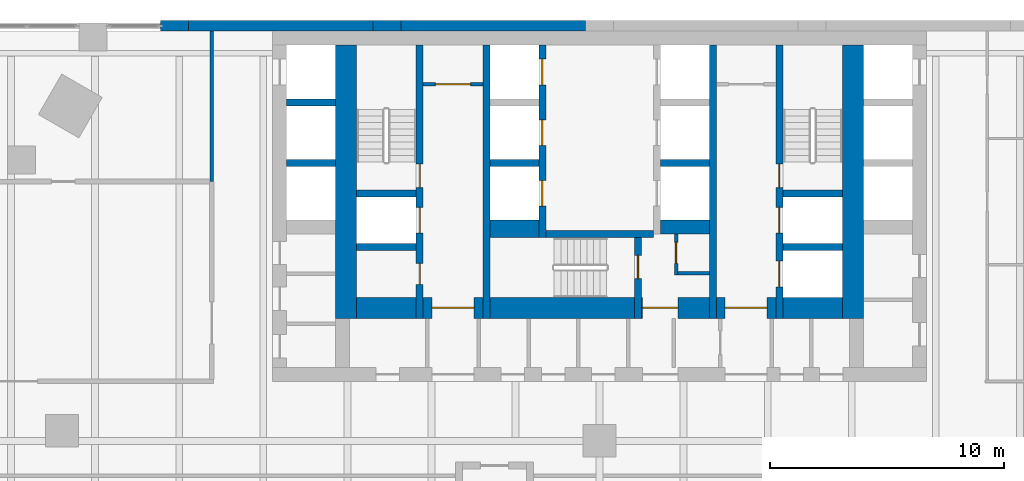
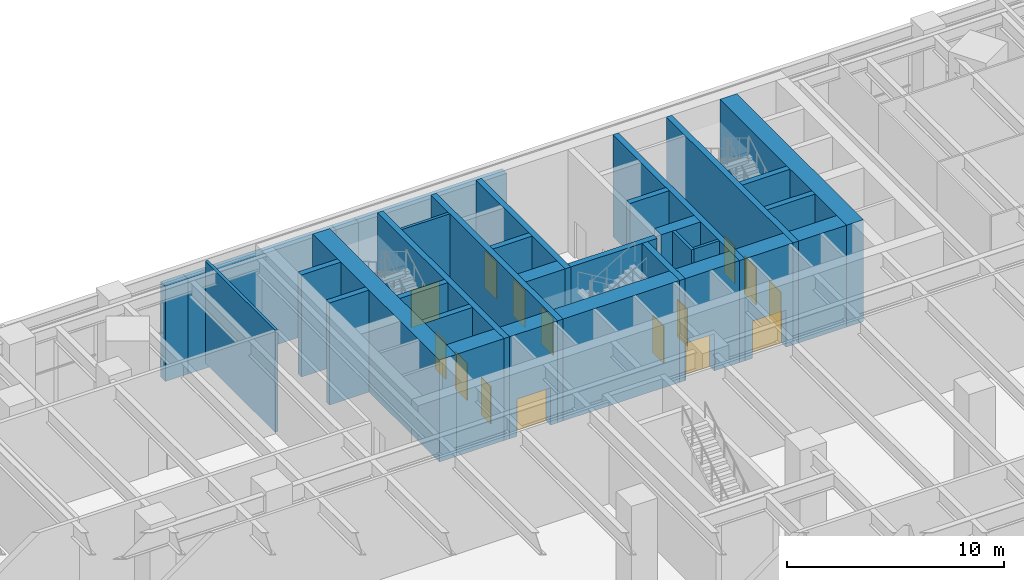
# One storey, part 32 of 40: 33 walls, 15 doors, 15 openings.
"""IFC4 building model written with IfcOpenShell, lengths in metres."""

from ifc_helpers import new_model, si_unit, direction, frame, frame_2d, origin, place, context, subcontext, project, spatial, rectangle, extrude, material, layer, layer_set, type_object, element, fill, save


model = new_model("IFC4")

# Units and contexts
model_context = context("Model", 3, precision=1e-05, world=origin(), true_north=direction((0.0, 1.0)))
body_context = subcontext(model_context, "Body", "Model", "MODEL_VIEW")
ifc_project = project(units=[si_unit("LENGTHUNIT", "METRE"), si_unit("AREAUNIT", "SQUARE_METRE"), si_unit("VOLUMEUNIT", "CUBIC_METRE"), si_unit("PLANEANGLEUNIT", "RADIAN"), si_unit("MASSUNIT", "GRAM", prefix="KILO")], contexts=[model_context])

# Site, building, storey
site_placement = place(None, origin())
site = spatial("IfcSite", under=ifc_project, at=site_placement, CompositionType="ELEMENT")
building_placement = place(site_placement, origin())
building = spatial("IfcBuilding", under=site, at=building_placement, Name="Aloe Facet Convention Tower", CompositionType="ELEMENT")
storey_placement = place(building_placement, frame((0.0, 0.0, 13.5)))
storey = spatial("IfcBuildingStorey", under=building, at=storey_placement, Name="L02", CompositionType="ELEMENT", Elevation=13.5)

# Wall, opening, door
ifc_material_1 = material(Name="Concrete blockwork partition", Category="masonry")
ifc_layer_1 = layer(ifc_material_1, 0.14990234375)
ifc_layer_set_1 = layer_set([ifc_layer_1], Name="CR-W-PART150")
wall_type_1 = type_object("IfcWallType", Name="CR-W-PART150", PredefinedType="PARTITIONING", material=ifc_layer_set_1)
wall_1_placement = place(storey_placement, frame((72.449951171875, 132.27490234375, 0.0), z_axis=(0.0, 0.0, 1.0), x_axis=(1.0, 0.0, 0.0)))
wall_1 = element("IfcWall", 1, at=wall_1_placement, inside=storey, type_object=wall_type_1, Name="Core partition L02-015", PredefinedType="PARTITIONING", context=body_context, shape_type="SweptSolid", body=[
    extrude(rectangle(XDim=2.550048828125, YDim=0.14990234375, at=frame_2d((1.27490234375, 0.0))), origin(), (0.0, 0.0, 1.0), 5.75),
])
opening_1_placement = place(wall_1_placement, frame((0.52490234375, 0.0, 0.0)))
opening_1 = element("IfcOpeningElement", 2, at=opening_1_placement, cuts=wall_1, Name="Opening L02-CD21", PredefinedType="OPENING", context=body_context, shape_type="SweptSolid", body=[
    extrude(rectangle(XDim=1.5, YDim=2.10009765625, at=frame_2d((0.75, 1.050048828125))), frame((0.0, 0.0849609375, 0.0), z_axis=(0.0, -1.0, 0.0), x_axis=(1.0, 0.0, 0.0)), (0.0, 0.0, 1.0), 0.169921875),
])
ifc_material_2 = material(Name="Steel fire-resisting door set FD60", Category="steel")
door_type_1 = type_object("IfcDoorType", Name="CR-D-REFUGE-1500-FD60-DD", OperationType="DOUBLE_DOOR_DOUBLE_SWING", PredefinedType="DOOR", material=ifc_material_2)
door_1_placement = place(opening_1_placement, origin())
door_1 = element("IfcDoor", 3, at=door_1_placement, inside=storey, type_object=door_type_1, Name="Core door L02-CD21", OperationType="DOUBLE_DOOR_DOUBLE_SWING", OverallHeight=2.10009765625, OverallWidth=1.5, PredefinedType="DOOR", context=body_context, shape_type="SweptSolid", body=[
    extrude(rectangle(XDim=1.5, YDim=2.10009765625, at=frame_2d((0.75, 1.050048828125))), frame((0.0, 0.02490234375, 0.0), z_axis=(0.0, -1.0, 0.0), x_axis=(1.0, 0.0, 0.0)), (0.0, 0.0, 1.0), 0.050048828125),
])
fill(opening_1, door_1)

wall_2_placement = place(storey_placement, frame((83.27490234375, 125.85009765625, 0.0), z_axis=(0.0, 0.0, 1.0), x_axis=(0.0, -1.0, 0.0)))
wall_2 = element("IfcWall", 4, at=wall_2_placement, inside=storey, type_object=wall_type_1, Name="Core partition L02-036", PredefinedType="PARTITIONING", context=body_context, shape_type="SweptSolid", body=[
    extrude(rectangle(XDim=1.75, YDim=0.14990234375, at=frame_2d((0.875, 0.0))), origin(), (0.0, 0.0, 1.0), 5.75),
])
opening_2_placement = place(wall_2_placement, frame((0.35009765625, 0.0, 0.0)))
opening_2 = element("IfcOpeningElement", 5, at=opening_2_placement, cuts=wall_2, Name="Opening L02-CD19", PredefinedType="OPENING", context=body_context, shape_type="SweptSolid", body=[
    extrude(rectangle(XDim=0.89990234375, YDim=2.10009765625, at=frame_2d((0.449951171875, 1.050048828125))), frame((0.0, 0.0849609375, 0.0), z_axis=(0.0, -1.0, 0.0), x_axis=(1.0, 0.0, 0.0)), (0.0, 0.0, 1.0), 0.169921875),
])
ifc_material_3 = material(Name="Steel fire-resisting door set FD60", Category="steel")
door_type_2 = type_object("IfcDoorType", Name="CR-D-REFUGE-900-FD60-SRIGHT", OperationType="SINGLE_SWING_RIGHT", PredefinedType="DOOR", material=ifc_material_3)
door_2_placement = place(opening_2_placement, origin())
door_2 = element("IfcDoor", 6, at=door_2_placement, inside=storey, type_object=door_type_2, Name="Core door L02-CD19", OperationType="SINGLE_SWING_RIGHT", OverallHeight=2.10009765625, OverallWidth=0.89990234375, PredefinedType="DOOR", context=body_context, shape_type="SweptSolid", body=[
    extrude(rectangle(XDim=0.89990234375, YDim=2.10009765625, at=frame_2d((0.449951171875, 1.050048828125))), frame((0.0, 0.02490234375, 0.0), z_axis=(0.0, -1.0, 0.0), x_axis=(1.0, 0.0, 0.0)), (0.0, 0.0, 1.0), 0.050048828125),
])
fill(opening_2, door_2)

# Walls
wall_3_placement = place(storey_placement, frame((83.35009765625, 124.175048828125, 0.0), z_axis=(0.0, 0.0, 1.0), x_axis=(1.0, 0.0, 0.0)))
element("IfcWall", 7, at=wall_3_placement, inside=storey, type_object=wall_type_1, Name="Core partition L02-037", PredefinedType="PARTITIONING", context=body_context, shape_type="SweptSolid", body=[
    extrude(rectangle(XDim=1.349853515625, YDim=0.14990234375, at=frame_2d((0.6748046875, 0.0))), origin(), (0.0, 0.0, 1.0), 5.75),
])
ifc_material_4 = material(Name="Concrete C80/95", Category="concrete")
ifc_layer_2 = layer(ifc_material_4, 0.300048828125)
ifc_layer_set_2 = layer_set([ifc_layer_2], Name="CR-W-RC300-C8095")
wall_type_2 = type_object("IfcWallType", Name="CR-W-RC300-C8095", PredefinedType="SOLIDWALL", material=ifc_layer_set_2)
for number, where, z_axis, x_axis, name in (
    (8, (66.60009765625, 131.5, 0.0), (0.0, 0.0, 1.0), (1.0, 0.0, 0.0), "Core wall L02-004"),
    (9, (66.60009765625, 128.89990234375, 0.0), (0.0, 0.0, 1.0), (1.0, 0.0, 0.0), "Core wall L02-005"),
):
    element("IfcWall", number, at=place(storey_placement, frame(where, z_axis=z_axis, x_axis=x_axis)), inside=storey, type_object=wall_type_2, Name=name, PredefinedType="SOLIDWALL", context=body_context, shape_type="SweptSolid", body=[
        extrude(rectangle(XDim=2.099853515625, YDim=0.300048828125, at=frame_2d((1.0498046875, 0.0))), origin(), (0.0, 0.0, 1.0), 5.75),
    ])
for number, where, z_axis, x_axis, name in (
    (10, (69.60009765625, 127.60009765625, 0.0), (0.0, 0.0, 1.0), (1.0, 0.0, 0.0), "Core wall L02-011"),
    (11, (69.60009765625, 125.300048828125, 0.0), (0.0, 0.0, 1.0), (1.0, 0.0, 0.0), "Core wall L02-012"),
):
    element("IfcWall", number, at=place(storey_placement, frame(where, z_axis=z_axis, x_axis=x_axis)), inside=storey, type_object=wall_type_2, Name=name, PredefinedType="SOLIDWALL", context=body_context, shape_type="SweptSolid", body=[
        extrude(rectangle(XDim=2.5498046875, YDim=0.300048828125, at=frame_2d((1.27490234375, 0.0))), origin(), (0.0, 0.0, 1.0), 5.75),
    ])

# Wall, openings, doors
wall_4_placement = place(storey_placement, frame((72.300048828125, 133.949951171875, 0.0), z_axis=(0.0, 0.0, 1.0), x_axis=(0.0, -1.0, 0.0)))
wall_4 = element("IfcWall", 12, at=wall_4_placement, inside=storey, type_object=wall_type_2, Name="Core wall L02-014", PredefinedType="SOLIDWALL", context=body_context, shape_type="SweptSolid", body=[
    extrude(rectangle(XDim=11.699951171875, YDim=0.300048828125, at=frame_2d((5.85009765625, 0.0))), origin(), (0.0, 0.0, 1.0), 5.75),
])
opening_3_placement = place(wall_4_placement, frame((6.949951171875, 0.0, 0.0)))
opening_3 = element("IfcOpeningElement", 13, at=opening_3_placement, cuts=wall_4, Name="Opening LD-FF1-L02", PredefinedType="OPENING", context=body_context, shape_type="SweptSolid", body=[
    extrude(rectangle(XDim=1.10009765625, YDim=2.10009765625, at=frame_2d((0.550048828125, 1.050048828125))), frame((0.0, 0.16015625, 0.0), z_axis=(0.0, -1.0, 0.0), x_axis=(1.0, 0.0, 0.0)), (0.0, 0.0, 1.0), 0.320068359375),
])
opening_4_placement = place(wall_4_placement, frame((9.35009765625, 0.0, 0.0)))
opening_4 = element("IfcOpeningElement", 14, at=opening_4_placement, cuts=wall_4, Name="Opening L02-CD22", PredefinedType="OPENING", context=body_context, shape_type="SweptSolid", body=[
    extrude(rectangle(XDim=0.89990234375, YDim=2.10009765625, at=frame_2d((0.449951171875, 1.050048828125))), frame((0.0, 0.16015625, 0.0), z_axis=(0.0, -1.0, 0.0), x_axis=(1.0, 0.0, 0.0)), (0.0, 0.0, 1.0), 0.320068359375),
])
opening_5_placement = place(wall_4_placement, frame((5.10009765625, 0.0, 0.0)))
opening_5 = element("IfcOpeningElement", 15, at=opening_5_placement, cuts=wall_4, Name="Opening L02-CD30", PredefinedType="OPENING", context=body_context, shape_type="SweptSolid", body=[
    extrude(rectangle(XDim=1.0, YDim=2.10009765625, at=frame_2d((0.5, 1.050048828125))), frame((0.0, 0.16015625, 0.0), z_axis=(0.0, -1.0, 0.0), x_axis=(1.0, 0.0, 0.0)), (0.0, 0.0, 1.0), 0.320068359375),
])
ifc_material_5 = material(Name="Steel fire-resisting door set FD60", Category="steel")
door_type_3 = type_object("IfcDoorType", Name="CR-D-ROOM-900-FD60-SLEFT", OperationType="SINGLE_SWING_LEFT", PredefinedType="DOOR", material=ifc_material_5)
door_3_placement = place(opening_4_placement, origin())
door_3 = element("IfcDoor", 16, at=door_3_placement, inside=storey, type_object=door_type_3, Name="Core door L02-CD22", OperationType="SINGLE_SWING_LEFT", OverallHeight=2.10009765625, OverallWidth=0.89990234375, PredefinedType="DOOR", context=body_context, shape_type="SweptSolid", body=[
    extrude(rectangle(XDim=0.89990234375, YDim=2.10009765625, at=frame_2d((0.449951171875, 1.050048828125))), frame((0.0, 0.02490234375, 0.0), z_axis=(0.0, -1.0, 0.0), x_axis=(1.0, 0.0, 0.0)), (0.0, 0.0, 1.0), 0.050048828125),
])
fill(opening_4, door_3)
ifc_material_6 = material(Name="Steel fire-resisting door set FD120", Category="steel")
door_type_4 = type_object("IfcDoorType", Name="CR-D-STAIR-1000-FD120-SRIGHT", OperationType="SINGLE_SWING_RIGHT", PredefinedType="DOOR", material=ifc_material_6)
door_4_placement = place(opening_5_placement, origin())
door_4 = element("IfcDoor", 17, at=door_4_placement, inside=storey, type_object=door_type_4, Name="Core door L02-CD30", OperationType="SINGLE_SWING_RIGHT", OverallHeight=2.10009765625, OverallWidth=1.0, PredefinedType="DOOR", context=body_context, shape_type="SweptSolid", body=[
    extrude(rectangle(XDim=1.0, YDim=2.10009765625, at=frame_2d((0.5, 1.050048828125))), frame((0.0, 0.02490234375, 0.0), z_axis=(0.0, -1.0, 0.0), x_axis=(1.0, 0.0, 0.0)), (0.0, 0.0, 1.0), 0.050048828125),
])
fill(opening_5, door_4)
ifc_material_7 = material(Name="Stainless steel sliding landing door", Category="steel")
door_type_5 = type_object("IfcDoorType", Name="CR-LD-1100-FD120-_LEFT", OperationType="SLIDING_TO_LEFT", PredefinedType="DOOR", material=ifc_material_7)
door_5_placement = place(opening_3_placement, origin())
door_5 = element("IfcDoor", 18, at=door_5_placement, inside=storey, type_object=door_type_5, Name="Landing door FF1 L02", OperationType="SLIDING_TO_LEFT", OverallHeight=2.10009765625, OverallWidth=1.10009765625, PredefinedType="DOOR", context=body_context, shape_type="SweptSolid", body=[
    extrude(rectangle(XDim=1.10009765625, YDim=2.10009765625, at=frame_2d((0.550048828125, 1.050048828125))), frame((0.0, 0.02490234375, 0.0), z_axis=(0.0, -1.0, 0.0), x_axis=(1.0, 0.0, 0.0)), (0.0, 0.0, 1.0), 0.050048828125),
])
fill(opening_3, door_5)

# Walls
wall_5_placement = place(storey_placement, frame((75.14990234375, 133.949951171875, 0.0), z_axis=(0.0, 0.0, 1.0), x_axis=(0.0, -1.0, 0.0)))
element("IfcWall", 19, at=wall_5_placement, inside=storey, type_object=wall_type_2, Name="Core wall L02-019", PredefinedType="SOLIDWALL", context=body_context, shape_type="SweptSolid", body=[
    extrude(rectangle(XDim=11.699951171875, YDim=0.300048828125, at=frame_2d((5.85009765625, 0.0))), origin(), (0.0, 0.0, 1.0), 5.75),
])
wall_6_placement = place(storey_placement, frame((75.300048828125, 128.89990234375, 0.0), z_axis=(0.0, 0.0, 1.0), x_axis=(1.0, 0.0, 0.0)))
element("IfcWall", 20, at=wall_6_placement, inside=storey, type_object=wall_type_2, Name="Core wall L02-021", PredefinedType="SOLIDWALL", context=body_context, shape_type="SweptSolid", body=[
    extrude(rectangle(XDim=2.099853515625, YDim=0.300048828125, at=frame_2d((1.0498046875, 0.0))), origin(), (0.0, 0.0, 1.0), 5.75),
])

# Wall, openings, doors
wall_7_placement = place(storey_placement, frame((77.550048828125, 133.949951171875, 0.0), z_axis=(0.0, 0.0, 1.0), x_axis=(0.0, -1.0, 0.0)))
wall_7 = element("IfcWall", 21, at=wall_7_placement, inside=storey, type_object=wall_type_2, Name="Core wall L02-025", PredefinedType="SOLIDWALL", context=body_context, shape_type="SweptSolid", body=[
    extrude(rectangle(XDim=8.25, YDim=0.300048828125, at=frame_2d((4.125, 0.0))), origin(), (0.0, 0.0, 1.0), 5.75),
])
opening_6_placement = place(wall_7_placement, frame((0.60009765625, 0.0, 0.0)))
opening_6 = element("IfcOpeningElement", 22, at=opening_6_placement, cuts=wall_7, Name="Opening LD-A1-L02", PredefinedType="OPENING", context=body_context, shape_type="SweptSolid", body=[
    extrude(rectangle(XDim=1.10009765625, YDim=2.10009765625, at=frame_2d((0.550048828125, 1.050048828125))), frame((0.0, 0.16015625, 0.0), z_axis=(0.0, -1.0, 0.0), x_axis=(1.0, 0.0, 0.0)), (0.0, 0.0, 1.0), 0.320068359375),
])
opening_7_placement = place(wall_7_placement, frame((3.199951171875, 0.0, 0.0)))
opening_7 = element("IfcOpeningElement", 23, at=opening_7_placement, cuts=wall_7, Name="Opening LD-A2-L02", PredefinedType="OPENING", context=body_context, shape_type="SweptSolid", body=[
    extrude(rectangle(XDim=1.10009765625, YDim=2.10009765625, at=frame_2d((0.550048828125, 1.050048828125))), frame((0.0, 0.16015625, 0.0), z_axis=(0.0, -1.0, 0.0), x_axis=(1.0, 0.0, 0.0)), (0.0, 0.0, 1.0), 0.320068359375),
])
opening_8_placement = place(wall_7_placement, frame((5.800048828125, 0.0, 0.0)))
opening_8 = element("IfcOpeningElement", 24, at=opening_8_placement, cuts=wall_7, Name="Opening LD-A3-L02", PredefinedType="OPENING", context=body_context, shape_type="SweptSolid", body=[
    extrude(rectangle(XDim=1.10009765625, YDim=2.10009765625, at=frame_2d((0.550048828125, 1.050048828125))), frame((0.0, 0.16015625, 0.0), z_axis=(0.0, -1.0, 0.0), x_axis=(1.0, 0.0, 0.0)), (0.0, 0.0, 1.0), 0.320068359375),
])
ifc_material_8 = material(Name="Stainless steel sliding landing door", Category="steel")
door_type_6 = type_object("IfcDoorType", Name="CR-LD-1100-FD60-RIGHT", OperationType="SLIDING_TO_RIGHT", PredefinedType="DOOR", material=ifc_material_8)
door_6_placement = place(opening_6_placement, origin())
door_6 = element("IfcDoor", 25, at=door_6_placement, inside=storey, type_object=door_type_6, Name="Landing door A1 L02", OperationType="SLIDING_TO_RIGHT", OverallHeight=2.10009765625, OverallWidth=1.10009765625, PredefinedType="DOOR", context=body_context, shape_type="SweptSolid", body=[
    extrude(rectangle(XDim=1.10009765625, YDim=2.10009765625, at=frame_2d((0.550048828125, 1.050048828125))), frame((0.0, 0.02490234375, 0.0), z_axis=(0.0, -1.0, 0.0), x_axis=(1.0, 0.0, 0.0)), (0.0, 0.0, 1.0), 0.050048828125),
])
fill(opening_6, door_6)
door_7_placement = place(opening_7_placement, origin())
door_7 = element("IfcDoor", 26, at=door_7_placement, inside=storey, type_object=door_type_6, Name="Landing door A2 L02", OperationType="SLIDING_TO_RIGHT", OverallHeight=2.10009765625, OverallWidth=1.10009765625, PredefinedType="DOOR", context=body_context, shape_type="SweptSolid", body=[
    extrude(rectangle(XDim=1.10009765625, YDim=2.10009765625, at=frame_2d((0.550048828125, 1.050048828125))), frame((0.0, 0.02490234375, 0.0), z_axis=(0.0, -1.0, 0.0), x_axis=(1.0, 0.0, 0.0)), (0.0, 0.0, 1.0), 0.050048828125),
])
fill(opening_7, door_7)
door_8_placement = place(opening_8_placement, origin())
door_8 = element("IfcDoor", 27, at=door_8_placement, inside=storey, type_object=door_type_6, Name="Landing door A3 L02", OperationType="SLIDING_TO_RIGHT", OverallHeight=2.10009765625, OverallWidth=1.10009765625, PredefinedType="DOOR", context=body_context, shape_type="SweptSolid", body=[
    extrude(rectangle(XDim=1.10009765625, YDim=2.10009765625, at=frame_2d((0.550048828125, 1.050048828125))), frame((0.0, 0.02490234375, 0.0), z_axis=(0.0, -1.0, 0.0), x_axis=(1.0, 0.0, 0.0)), (0.0, 0.0, 1.0), 0.050048828125),
])
fill(opening_8, door_8)

# Wall
wall_8_placement = place(storey_placement, frame((77.699951171875, 125.85009765625, 0.0), z_axis=(0.0, 0.0, 1.0), x_axis=(1.0, 0.0, 0.0)))
element("IfcWall", 28, at=wall_8_placement, inside=storey, type_object=wall_type_2, Name="Core wall L02-026", PredefinedType="SOLIDWALL", context=body_context, shape_type="SweptSolid", body=[
    extrude(rectangle(XDim=4.60009765625, YDim=0.300048828125, at=frame_2d((2.300048828125, 0.0))), origin(), (0.0, 0.0, 1.0), 5.75),
])

# Wall, opening, door
wall_9_placement = place(storey_placement, frame((81.64990234375, 125.699951171875, 0.0), z_axis=(0.0, 0.0, 1.0), x_axis=(0.0, -1.0, 0.0)))
wall_9 = element("IfcWall", 29, at=wall_9_placement, inside=storey, type_object=wall_type_2, Name="Core wall L02-029", PredefinedType="SOLIDWALL", context=body_context, shape_type="SweptSolid", body=[
    extrude(rectangle(XDim=3.449951171875, YDim=0.300048828125, at=frame_2d((1.72509765625, 0.0))), origin(), (0.0, 0.0, 1.0), 5.75),
])
opening_9_placement = place(wall_9_placement, frame((0.75, 0.0, 0.0)))
opening_9 = element("IfcOpeningElement", 30, at=opening_9_placement, cuts=wall_9, Name="Opening L02-CD32", PredefinedType="OPENING", context=body_context, shape_type="SweptSolid", body=[
    extrude(rectangle(XDim=1.0, YDim=2.10009765625, at=frame_2d((0.5, 1.050048828125))), frame((0.0, 0.16015625, 0.0), z_axis=(0.0, -1.0, 0.0), x_axis=(1.0, 0.0, 0.0)), (0.0, 0.0, 1.0), 0.320068359375),
])
ifc_material_9 = material(Name="Steel fire-resisting door set FD120", Category="steel")
door_type_7 = type_object("IfcDoorType", Name="CR-D-STAIR-1000-FD120-SLEFT", OperationType="SINGLE_SWING_LEFT", PredefinedType="DOOR", material=ifc_material_9)
door_9_placement = place(opening_9_placement, origin())
door_9 = element("IfcDoor", 31, at=door_9_placement, inside=storey, type_object=door_type_7, Name="Core door L02-CD32", OperationType="SINGLE_SWING_LEFT", OverallHeight=2.10009765625, OverallWidth=1.0, PredefinedType="DOOR", context=body_context, shape_type="SweptSolid", body=[
    extrude(rectangle(XDim=1.0, YDim=2.10009765625, at=frame_2d((0.5, 1.050048828125))), frame((0.0, 0.02490234375, 0.0), z_axis=(0.0, -1.0, 0.0), x_axis=(1.0, 0.0, 0.0)), (0.0, 0.0, 1.0), 0.050048828125),
])
fill(opening_9, door_9)

# Walls
wall_10_placement = place(storey_placement, frame((82.60009765625, 128.89990234375, 0.0), z_axis=(0.0, 0.0, 1.0), x_axis=(1.0, 0.0, 0.0)))
element("IfcWall", 32, at=wall_10_placement, inside=storey, type_object=wall_type_2, Name="Core wall L02-033", PredefinedType="SOLIDWALL", context=body_context, shape_type="SweptSolid", body=[
    extrude(rectangle(XDim=2.099853515625, YDim=0.300048828125, at=frame_2d((1.0498046875, 0.0))), origin(), (0.0, 0.0, 1.0), 5.75),
])
wall_11_placement = place(storey_placement, frame((84.85009765625, 133.949951171875, 0.0), z_axis=(0.0, 0.0, 1.0), x_axis=(0.0, -1.0, 0.0)))
element("IfcWall", 33, at=wall_11_placement, inside=storey, type_object=wall_type_2, Name="Core wall L02-038", PredefinedType="SOLIDWALL", context=body_context, shape_type="SweptSolid", body=[
    extrude(rectangle(XDim=11.699951171875, YDim=0.300048828125, at=frame_2d((5.85009765625, 0.0))), origin(), (0.0, 0.0, 1.0), 5.75),
])

# Wall, openings, doors
wall_12_placement = place(storey_placement, frame((87.699951171875, 133.949951171875, 0.0), z_axis=(0.0, 0.0, 1.0), x_axis=(0.0, -1.0, 0.0)))
wall_12 = element("IfcWall", 34, at=wall_12_placement, inside=storey, type_object=wall_type_2, Name="Core wall L02-043", PredefinedType="SOLIDWALL", context=body_context, shape_type="SweptSolid", body=[
    extrude(rectangle(XDim=11.699951171875, YDim=0.300048828125, at=frame_2d((5.85009765625, 0.0))), origin(), (0.0, 0.0, 1.0), 5.75),
])
opening_10_placement = place(wall_12_placement, frame((6.949951171875, 0.0, 0.0)))
opening_10 = element("IfcOpeningElement", 35, at=opening_10_placement, cuts=wall_12, Name="Opening LD-FF2-L02", PredefinedType="OPENING", context=body_context, shape_type="SweptSolid", body=[
    extrude(rectangle(XDim=1.10009765625, YDim=2.10009765625, at=frame_2d((0.550048828125, 1.050048828125))), frame((0.0, 0.16015625, 0.0), z_axis=(0.0, -1.0, 0.0), x_axis=(1.0, 0.0, 0.0)), (0.0, 0.0, 1.0), 0.320068359375),
])
opening_11_placement = place(wall_12_placement, frame((5.10009765625, 0.0, 0.0)))
opening_11 = element("IfcOpeningElement", 36, at=opening_11_placement, cuts=wall_12, Name="Opening L02-CD31", PredefinedType="OPENING", context=body_context, shape_type="SweptSolid", body=[
    extrude(rectangle(XDim=1.0, YDim=2.10009765625, at=frame_2d((0.5, 1.050048828125))), frame((0.0, 0.16015625, 0.0), z_axis=(0.0, -1.0, 0.0), x_axis=(1.0, 0.0, 0.0)), (0.0, 0.0, 1.0), 0.320068359375),
])
opening_12_placement = place(wall_12_placement, frame((9.25, 0.0, 0.0)))
opening_12 = element("IfcOpeningElement", 37, at=opening_12_placement, cuts=wall_12, Name="Opening LD-SV1-L02", PredefinedType="OPENING", context=body_context, shape_type="SweptSolid", body=[
    extrude(rectangle(XDim=1.10009765625, YDim=2.10009765625, at=frame_2d((0.550048828125, 1.050048828125))), frame((0.0, 0.16015625, 0.0), z_axis=(0.0, -1.0, 0.0), x_axis=(1.0, 0.0, 0.0)), (0.0, 0.0, 1.0), 0.320068359375),
])
door_10_placement = place(opening_11_placement, origin())
door_10 = element("IfcDoor", 38, at=door_10_placement, inside=storey, type_object=door_type_7, Name="Core door L02-CD31", OperationType="SINGLE_SWING_LEFT", OverallHeight=2.10009765625, OverallWidth=1.0, PredefinedType="DOOR", context=body_context, shape_type="SweptSolid", body=[
    extrude(rectangle(XDim=1.0, YDim=2.10009765625, at=frame_2d((0.5, 1.050048828125))), frame((0.0, 0.02490234375, 0.0), z_axis=(0.0, -1.0, 0.0), x_axis=(1.0, 0.0, 0.0)), (0.0, 0.0, 1.0), 0.050048828125),
])
fill(opening_11, door_10)
door_11_placement = place(opening_10_placement, origin())
door_11 = element("IfcDoor", 39, at=door_11_placement, inside=storey, type_object=door_type_5, Name="Landing door FF2 L02", OperationType="SLIDING_TO_LEFT", OverallHeight=2.10009765625, OverallWidth=1.10009765625, PredefinedType="DOOR", context=body_context, shape_type="SweptSolid", body=[
    extrude(rectangle(XDim=1.10009765625, YDim=2.10009765625, at=frame_2d((0.550048828125, 1.050048828125))), frame((0.0, 0.02490234375, 0.0), z_axis=(0.0, -1.0, 0.0), x_axis=(1.0, 0.0, 0.0)), (0.0, 0.0, 1.0), 0.050048828125),
])
fill(opening_10, door_11)
door_12_placement = place(opening_12_placement, origin())
door_12 = element("IfcDoor", 40, at=door_12_placement, inside=storey, type_object=door_type_5, Name="Landing door SV1 L02", OperationType="SLIDING_TO_LEFT", OverallHeight=2.10009765625, OverallWidth=1.10009765625, PredefinedType="DOOR", context=body_context, shape_type="SweptSolid", body=[
    extrude(rectangle(XDim=1.10009765625, YDim=2.10009765625, at=frame_2d((0.550048828125, 1.050048828125))), frame((0.0, 0.02490234375, 0.0), z_axis=(0.0, -1.0, 0.0), x_axis=(1.0, 0.0, 0.0)), (0.0, 0.0, 1.0), 0.050048828125),
])
fill(opening_12, door_12)

# Walls
for number, where, z_axis, x_axis, name in (
    (41, (87.85009765625, 127.60009765625, 0.0), (0.0, 0.0, 1.0), (1.0, 0.0, 0.0), "Core wall L02-044"),
    (42, (87.85009765625, 125.300048828125, 0.0), (0.0, 0.0, 1.0), (1.0, 0.0, 0.0), "Core wall L02-045"),
):
    element("IfcWall", number, at=place(storey_placement, frame(where, z_axis=z_axis, x_axis=x_axis)), inside=storey, type_object=wall_type_2, Name=name, PredefinedType="SOLIDWALL", context=body_context, shape_type="SweptSolid", body=[
        extrude(rectangle(XDim=2.5498046875, YDim=0.300048828125, at=frame_2d((1.27490234375, 0.0))), origin(), (0.0, 0.0, 1.0), 5.75),
    ])
ifc_material_10 = material(Name="Concrete C80/95", Category="concrete")
ifc_layer_3 = layer(ifc_material_10, 0.60009765625)
ifc_layer_set_3 = layer_set([ifc_layer_3], Name="CR-W-RC600-C8095")
wall_type_3 = type_object("IfcWallType", Name="CR-W-RC600-C8095", PredefinedType="SOLIDWALL", material=ifc_layer_set_3)
wall_13_placement = place(storey_placement, frame((82.60009765625, 126.14990234375, 0.0), z_axis=(0.0, 0.0, 1.0), x_axis=(1.0, 0.0, 0.0)))
element("IfcWall", 43, at=wall_13_placement, inside=storey, type_object=wall_type_3, Name="Core wall L02-034", PredefinedType="SOLIDWALL", context=body_context, shape_type="SweptSolid", body=[
    extrude(rectangle(XDim=2.099853515625, YDim=0.60009765625, at=frame_2d((1.0498046875, 0.0))), origin(), (0.0, 0.0, 1.0), 5.75),
])
ifc_material_11 = material(Name="Concrete C80/95", Category="concrete")
ifc_layer_4 = layer(ifc_material_11, 0.75)
ifc_layer_set_4 = layer_set([ifc_layer_4], Name="CR-W-RC750-C8095")
wall_type_4 = type_object("IfcWallType", Name="CR-W-RC750-C8095", PredefinedType="SOLIDWALL", material=ifc_layer_set_4)
wall_14_placement = place(storey_placement, frame((75.300048828125, 126.074951171875, 0.0), z_axis=(0.0, 0.0, 1.0), x_axis=(1.0, 0.0, 0.0)))
element("IfcWall", 44, at=wall_14_placement, inside=storey, type_object=wall_type_4, Name="Core wall L02-022", PredefinedType="SOLIDWALL", context=body_context, shape_type="SweptSolid", body=[
    extrude(rectangle(XDim=2.099853515625, YDim=0.75, at=frame_2d((1.0498046875, 0.0))), origin(), (0.0, 0.0, 1.0), 5.75),
])
ifc_material_12 = material(Name="Concrete C80/95", Category="concrete")
ifc_layer_5 = layer(ifc_material_12, 0.89990234375)
ifc_layer_set_5 = layer_set([ifc_layer_5], Name="CR-W-RC900-C8095")
wall_type_5 = type_object("IfcWallType", Name="CR-W-RC900-C8095", PredefinedType="SOLIDWALL", material=ifc_layer_set_5)
wall_15_placement = place(storey_placement, frame((69.14990234375, 133.949951171875, 0.0), z_axis=(0.0, 0.0, 1.0), x_axis=(0.0, -1.0, 0.0)))
element("IfcWall", 45, at=wall_15_placement, inside=storey, type_object=wall_type_5, Name="Core wall L02-009", PredefinedType="SOLIDWALL", context=body_context, shape_type="SweptSolid", body=[
    extrude(rectangle(XDim=11.699951171875, YDim=0.89990234375, at=frame_2d((5.85009765625, 0.0))), origin(), (0.0, 0.0, 1.0), 5.75),
])
wall_16_placement = place(storey_placement, frame((69.60009765625, 122.699951171875, 0.0), z_axis=(0.0, 0.0, 1.0), x_axis=(1.0, 0.0, 0.0)))
element("IfcWall", 46, at=wall_16_placement, inside=storey, type_object=wall_type_5, Name="Core wall L02-013", PredefinedType="SOLIDWALL", context=body_context, shape_type="SweptSolid", body=[
    extrude(rectangle(XDim=2.5498046875, YDim=0.89990234375, at=frame_2d((1.27490234375, 0.0))), origin(), (0.0, 0.0, 1.0), 5.75),
])

# Wall, opening, door
wall_17_placement = place(storey_placement, frame((72.449951171875, 122.699951171875, 0.0), z_axis=(0.0, 0.0, 1.0), x_axis=(1.0, 0.0, 0.0)))
wall_17 = element("IfcWall", 47, at=wall_17_placement, inside=storey, type_object=wall_type_5, Name="Core wall L02-016", PredefinedType="SOLIDWALL", context=body_context, shape_type="SweptSolid", body=[
    extrude(rectangle(XDim=2.550048828125, YDim=0.89990234375, at=frame_2d((1.27490234375, 0.0))), origin(), (0.0, 0.0, 1.0), 5.75),
])
opening_13_placement = place(wall_17_placement, frame((0.375, 0.0, 0.0)))
opening_13 = element("IfcOpeningElement", 48, at=opening_13_placement, cuts=wall_17, Name="Opening L02-CD14", PredefinedType="OPENING", context=body_context, shape_type="SweptSolid", body=[
    extrude(rectangle(XDim=1.800048828125, YDim=2.10009765625, at=frame_2d((0.89990234375, 1.050048828125))), frame((0.0, 0.4599609375, 0.0), z_axis=(0.0, -1.0, 0.0), x_axis=(1.0, 0.0, 0.0)), (0.0, 0.0, 1.0), 0.919921875),
])
ifc_material_13 = material(Name="Steel fire-resisting door set FD120", Category="steel")
door_type_8 = type_object("IfcDoorType", Name="CR-D-EXIT-1800-FD120-DD", OperationType="DOUBLE_DOOR_DOUBLE_SWING", PredefinedType="DOOR", material=ifc_material_13)
door_13_placement = place(opening_13_placement, origin())
door_13 = element("IfcDoor", 49, at=door_13_placement, inside=storey, type_object=door_type_8, Name="Core door L02-CD14", OperationType="DOUBLE_DOOR_DOUBLE_SWING", OverallHeight=2.10009765625, OverallWidth=1.800048828125, PredefinedType="DOOR", context=body_context, shape_type="SweptSolid", body=[
    extrude(rectangle(XDim=1.800048828125, YDim=2.10009765625, at=frame_2d((0.89990234375, 1.050048828125))), frame((0.0, 0.02490234375, 0.0), z_axis=(0.0, -1.0, 0.0), x_axis=(1.0, 0.0, 0.0)), (0.0, 0.0, 1.0), 0.050048828125),
])
fill(opening_13, door_13)

# Wall
wall_18_placement = place(storey_placement, frame((75.300048828125, 122.699951171875, 0.0), z_axis=(0.0, 0.0, 1.0), x_axis=(1.0, 0.0, 0.0)))
element("IfcWall", 50, at=wall_18_placement, inside=storey, type_object=wall_type_5, Name="Core wall L02-023", PredefinedType="SOLIDWALL", context=body_context, shape_type="SweptSolid", body=[
    extrude(rectangle(XDim=6.199951171875, YDim=0.89990234375, at=frame_2d((3.10009765625, 0.0))), origin(), (0.0, 0.0, 1.0), 5.75),
])

# Wall, opening, door
wall_19_placement = place(storey_placement, frame((81.800048828125, 122.699951171875, 0.0), z_axis=(0.0, 0.0, 1.0), x_axis=(1.0, 0.0, 0.0)))
wall_19 = element("IfcWall", 51, at=wall_19_placement, inside=storey, type_object=wall_type_5, Name="Core wall L02-030", PredefinedType="SOLIDWALL", context=body_context, shape_type="SweptSolid", body=[
    extrude(rectangle(XDim=2.89990234375, YDim=0.89990234375, at=frame_2d((1.449951171875, 0.0))), origin(), (0.0, 0.0, 1.0), 5.75),
])
opening_14_placement = place(wall_19_placement, frame((0.050048828125, 0.0, 0.0)))
opening_14 = element("IfcOpeningElement", 52, at=opening_14_placement, cuts=wall_19, Name="Opening L02-CD15", PredefinedType="OPENING", context=body_context, shape_type="SweptSolid", body=[
    extrude(rectangle(XDim=1.5, YDim=2.10009765625, at=frame_2d((0.75, 1.050048828125))), frame((0.0, 0.4599609375, 0.0), z_axis=(0.0, -1.0, 0.0), x_axis=(1.0, 0.0, 0.0)), (0.0, 0.0, 1.0), 0.919921875),
])
ifc_material_14 = material(Name="Steel fire-resisting door set FD60", Category="steel")
door_type_9 = type_object("IfcDoorType", Name="CR-D-EXIT-1500-FD60-DD", OperationType="DOUBLE_DOOR_DOUBLE_SWING", PredefinedType="DOOR", material=ifc_material_14)
door_14_placement = place(opening_14_placement, origin())
door_14 = element("IfcDoor", 53, at=door_14_placement, inside=storey, type_object=door_type_9, Name="Core door L02-CD15", OperationType="DOUBLE_DOOR_DOUBLE_SWING", OverallHeight=2.10009765625, OverallWidth=1.5, PredefinedType="DOOR", context=body_context, shape_type="SweptSolid", body=[
    extrude(rectangle(XDim=1.5, YDim=2.10009765625, at=frame_2d((0.75, 1.050048828125))), frame((0.0, 0.02490234375, 0.0), z_axis=(0.0, -1.0, 0.0), x_axis=(1.0, 0.0, 0.0)), (0.0, 0.0, 1.0), 0.050048828125),
])
fill(opening_14, door_14)

wall_20_placement = place(storey_placement, frame((85.0, 122.699951171875, 0.0), z_axis=(0.0, 0.0, 1.0), x_axis=(1.0, 0.0, 0.0)))
wall_20 = element("IfcWall", 54, at=wall_20_placement, inside=storey, type_object=wall_type_5, Name="Core wall L02-040", PredefinedType="SOLIDWALL", context=body_context, shape_type="SweptSolid", body=[
    extrude(rectangle(XDim=2.550048828125, YDim=0.89990234375, at=frame_2d((1.27490234375, 0.0))), origin(), (0.0, 0.0, 1.0), 5.75),
])
opening_15_placement = place(wall_20_placement, frame((0.375, 0.0, 0.0)))
opening_15 = element("IfcOpeningElement", 55, at=opening_15_placement, cuts=wall_20, Name="Opening L02-CD13", PredefinedType="OPENING", context=body_context, shape_type="SweptSolid", body=[
    extrude(rectangle(XDim=1.800048828125, YDim=2.10009765625, at=frame_2d((0.89990234375, 1.050048828125))), frame((0.0, 0.4599609375, 0.0), z_axis=(0.0, -1.0, 0.0), x_axis=(1.0, 0.0, 0.0)), (0.0, 0.0, 1.0), 0.919921875),
])
door_15_placement = place(opening_15_placement, origin())
door_15 = element("IfcDoor", 56, at=door_15_placement, inside=storey, type_object=door_type_8, Name="Core door L02-CD13", OperationType="DOUBLE_DOOR_DOUBLE_SWING", OverallHeight=2.10009765625, OverallWidth=1.800048828125, PredefinedType="DOOR", context=body_context, shape_type="SweptSolid", body=[
    extrude(rectangle(XDim=1.800048828125, YDim=2.10009765625, at=frame_2d((0.89990234375, 1.050048828125))), frame((0.0, 0.02490234375, 0.0), z_axis=(0.0, -1.0, 0.0), x_axis=(1.0, 0.0, 0.0)), (0.0, 0.0, 1.0), 0.050048828125),
])
fill(opening_15, door_15)

# Walls
wall_21_placement = place(storey_placement, frame((87.85009765625, 122.699951171875, 0.0), z_axis=(0.0, 0.0, 1.0), x_axis=(1.0, 0.0, 0.0)))
element("IfcWall", 57, at=wall_21_placement, inside=storey, type_object=wall_type_5, Name="Core wall L02-046", PredefinedType="SOLIDWALL", context=body_context, shape_type="SweptSolid", body=[
    extrude(rectangle(XDim=2.5498046875, YDim=0.89990234375, at=frame_2d((1.27490234375, 0.0))), origin(), (0.0, 0.0, 1.0), 5.75),
])
wall_22_placement = place(storey_placement, frame((90.85009765625, 133.949951171875, 0.0), z_axis=(0.0, 0.0, 1.0), x_axis=(0.0, -1.0, 0.0)))
element("IfcWall", 58, at=wall_22_placement, inside=storey, type_object=wall_type_5, Name="Core wall L02-048", PredefinedType="SOLIDWALL", context=body_context, shape_type="SweptSolid", body=[
    extrude(rectangle(XDim=11.699951171875, YDim=0.89990234375, at=frame_2d((5.85009765625, 0.0))), origin(), (0.0, 0.0, 1.0), 5.75),
])
ifc_material_15 = material(Name="Precast concrete C40/50", Category="concrete")
ifc_layer_6 = layer(ifc_material_15, 0.449951171875)
ifc_layer_set_6 = layer_set([ifc_layer_6], Name="EV-WALL-STONE")
wall_type_6 = type_object("IfcWallType", Name="EV-WALL-STONE", PredefinedType="SOLIDWALL", material=ifc_layer_set_6)
wall_23_placement = place(storey_placement, frame((79.39990234375, 134.77490234375, -0.300048828125), z_axis=(0.0, 0.0, 1.0), x_axis=(-1.0, 0.0, 0.0)))
element("IfcWall", 59, at=wall_23_placement, inside=storey, type_object=wall_type_6, Name="PW-L02-N12", PredefinedType="SOLIDWALL", context=body_context, shape_type="SweptSolid", body=[
    extrude(rectangle(XDim=7.898681640625, YDim=0.449951171875, at=frame_2d((3.94921875, 0.0))), origin(), (0.0, 0.0, 1.0), 5.362548828125),
])
wall_24_placement = place(storey_placement, frame((71.501220703125, 134.77490234375, -0.300048828125), z_axis=(0.0, 0.0, 1.0), x_axis=(-1.0, 0.0, 0.0)))
element("IfcWall", 60, at=wall_24_placement, inside=storey, type_object=wall_type_6, Name="PW-L02-N13", PredefinedType="SOLIDWALL", context=body_context, shape_type="SweptSolid", body=[
    extrude(rectangle(XDim=1.199951171875, YDim=0.449951171875, at=frame_2d((0.60009765625, 0.0))), origin(), (0.0, 0.0, 1.0), 5.362548828125),
])
wall_25_placement = place(storey_placement, frame((70.30126953125, 134.77490234375, -0.300048828125), z_axis=(0.0, 0.0, 1.0), x_axis=(-1.0, 0.0, 0.0)))
element("IfcWall", 61, at=wall_25_placement, inside=storey, type_object=wall_type_6, Name="PW-L02-N14", PredefinedType="SOLIDWALL", context=body_context, shape_type="SweptSolid", body=[
    extrude(rectangle(XDim=7.89892578125, YDim=0.449951171875, at=frame_2d((3.949462890625, 0.0))), origin(), (0.0, 0.0, 1.0), 5.362548828125),
])
wall_26_placement = place(storey_placement, frame((62.40234375, 134.77490234375, -0.300048828125), z_axis=(0.0, 0.0, 1.0), x_axis=(-1.0, 0.0, 0.0)))
element("IfcWall", 62, at=wall_26_placement, inside=storey, type_object=wall_type_6, Name="PW-L02-N15", PredefinedType="SOLIDWALL", context=body_context, shape_type="SweptSolid", body=[
    extrude(rectangle(XDim=1.199951171875, YDim=0.449951171875, at=frame_2d((0.60009765625, 0.0))), origin(), (0.0, 0.0, 1.0), 5.362548828125),
])
ifc_material_16 = material(Name="Gypsum board partition on steel studs, double layer", Category="steel")
ifc_layer_7 = layer(ifc_material_16, 0.14990234375)
ifc_layer_set_7 = layer_set([ifc_layer_7], Name="IN-POD-W-CORR")
wall_type_7 = type_object("IfcWallType", Name="IN-POD-W-CORR", PredefinedType="PARTITIONING", material=ifc_layer_set_7)
wall_27_placement = place(storey_placement, frame((63.39990234375, 128.110107421875, 0.0), z_axis=(0.0, 0.0, 1.0), x_axis=(0.0, 1.0, 0.0)))
element("IfcWall", 63, at=wall_27_placement, inside=storey, type_object=wall_type_7, Name="Partition L02-W035", PredefinedType="PARTITIONING", context=body_context, shape_type="SweptSolid", body=[
    extrude(rectangle(XDim=6.43994140625, YDim=0.14990234375, at=frame_2d((3.219970703125, 0.0))), origin(), (0.0, 0.0, 1.0), 5.75),
])

save(model, "model.ifc")
